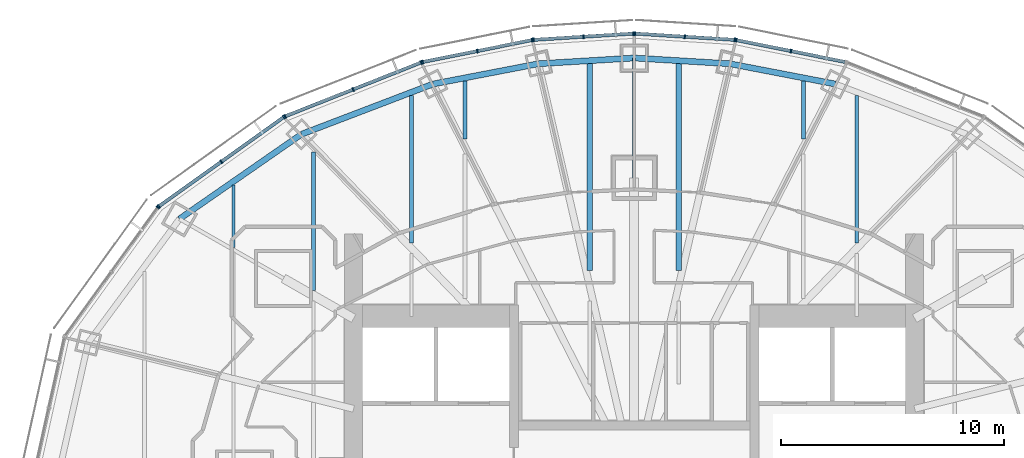
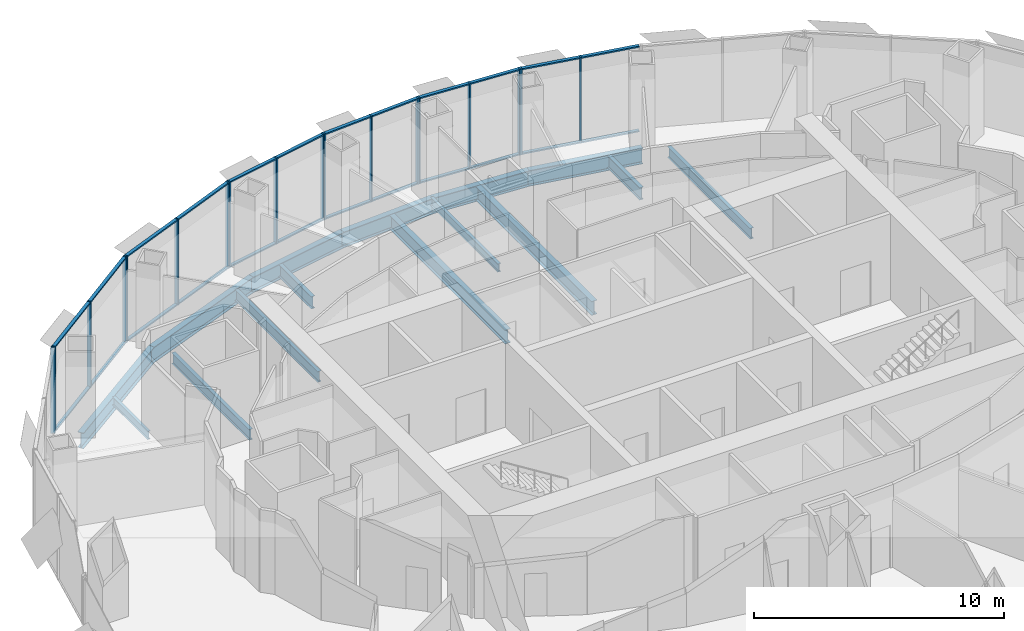
# One storey, part 8 of 19: 42 members, 15 beams, 7 elements without a shape of their own.
"""IFC4 building model written with IfcOpenShell, lengths in metres."""

from ifc_helpers import new_model, si_unit, direction, frame, origin, origin_2d, place, context, subcontext, project, spatial, rectangle, i_section, extrude, material, material_profile, profile_set, type_object, element, aggregate, save


model = new_model("IFC4")

# Units and contexts
model_context = context("Model", 3, precision=1e-05, world=origin(), true_north=direction((0.0, 1.0)))
body_context = subcontext(model_context, "Body", "Model", "MODEL_VIEW")
ifc_project = project(units=[si_unit("LENGTHUNIT", "METRE"), si_unit("AREAUNIT", "SQUARE_METRE"), si_unit("VOLUMEUNIT", "CUBIC_METRE"), si_unit("PLANEANGLEUNIT", "RADIAN"), si_unit("MASSUNIT", "GRAM", prefix="KILO")], contexts=[model_context])

# Site, building, storey
site_placement = place(None, origin())
site = spatial("IfcSite", under=ifc_project, at=site_placement, CompositionType="ELEMENT")
building_placement = place(site_placement, origin())
building = spatial("IfcBuilding", under=site, at=building_placement, Name="Lantaw Convention Tower", CompositionType="ELEMENT")
storey_placement = place(building_placement, frame((0.0, 0.0, 249.39990234375)))
storey = spatial("IfcBuildingStorey", under=building, at=storey_placement, Name="L58", CompositionType="ELEMENT", Elevation=249.39990234375)

# Beams
ifc_material_1 = material(Name="Steel ASTM A992", Category="steel")
ifc_material_profile_1 = material_profile(ifc_material_1, i_section(OverallWidth=0.2666015625, OverallDepth=0.76953125, WebThickness=0.015625, FlangeThickness=0.025390625, FilletRadius=0.0126953125, at=origin_2d()), Name="W30X132")
ifc_profile_set_1 = profile_set([ifc_material_profile_1], Name="Steel ASTM A992")
beam_type_1 = type_object("IfcBeamType", Name="Beam E W30X132", PredefinedType="SPANDREL", material=ifc_profile_set_1)
beam_1_placement = place(storey_placement, frame((9.03466796875, 17.7314453125, -0.53466796875), z_axis=(-0.981972091702, 0.189025953556, 0.0), x_axis=(-0.189025953556, -0.981972091702, 0.0)))
element("IfcBeam", 1, at=beam_1_placement, inside=storey, type_object=beam_type_1, Name="Edge beam 5", PredefinedType="SPANDREL", context=body_context, shape_type="SweptSolid", body=[
    extrude(i_section(OverallWidth=0.2666015625, OverallDepth=0.76953125, WebThickness=0.015625, FlangeThickness=0.025390625, FilletRadius=0.0126953125, at=origin_2d()), origin(), (0.0, 0.0, 1.0), 4.817626953125),
])
for number, where, z_axis, x_axis, name in (
    (2, (4.303955078125, 18.64208984375, -0.53466796875), (-0.998210730897, 0.059794119452, 0.0), (-0.059794119452, -0.998210730897, 0.0), "Edge beam 6"),
    (3, (0.0, 18.89990234375, -0.53466796875), (-0.998210730897, -0.059794119452, 0.0), (0.059794119452, -0.998210730897, 0.0), "Edge beam 7"),
):
    element("IfcBeam", number, at=place(storey_placement, frame(where, z_axis=z_axis, x_axis=x_axis)), inside=storey, type_object=beam_type_1, Name=name, PredefinedType="SPANDREL", context=body_context, shape_type="SweptSolid", body=[
        extrude(i_section(OverallWidth=0.2666015625, OverallDepth=0.76953125, WebThickness=0.015625, FlangeThickness=0.025390625, FilletRadius=0.0126953125, at=origin_2d()), origin(), (0.0, 0.0, 1.0), 4.311767578125),
    ])
beam_2_placement = place(storey_placement, frame((-4.303955078125, 18.64208984375, -0.53466796875), z_axis=(-0.981972091702, -0.189025953556, 0.0), x_axis=(0.189025953556, -0.981972091702, 0.0)))
element("IfcBeam", 4, at=beam_2_placement, inside=storey, type_object=beam_type_1, Name="Edge beam 8", PredefinedType="SPANDREL", context=body_context, shape_type="SweptSolid", body=[
    extrude(i_section(OverallWidth=0.2666015625, OverallDepth=0.76953125, WebThickness=0.015625, FlangeThickness=0.025390625, FilletRadius=0.0126953125, at=origin_2d()), origin(), (0.0, 0.0, 1.0), 4.817626953125),
])
beam_3_placement = place(storey_placement, frame((-9.03466796875, 17.7314453125, -0.53466796875), z_axis=(-0.934234988, -0.356658081637, 0.0), x_axis=(0.356658081637, -0.934234988, 0.0)))
element("IfcBeam", 5, at=beam_3_placement, inside=storey, type_object=beam_type_1, Name="Edge beam 9", PredefinedType="SPANDREL", context=body_context, shape_type="SweptSolid", body=[
    extrude(i_section(OverallWidth=0.2666015625, OverallDepth=0.76953125, WebThickness=0.015625, FlangeThickness=0.025390625, FilletRadius=0.0126953125, at=origin_2d()), origin(), (0.0, 0.0, 1.0), 6.32568359375),
])
beam_4_placement = place(storey_placement, frame((-14.9443359375, 15.475341796875, -0.53466796875), z_axis=(-0.82135329406, -0.570419815869, 0.0), x_axis=(0.570419815869, -0.82135329406, 0.0)))
element("IfcBeam", 6, at=beam_4_placement, inside=storey, type_object=beam_type_1, Name="Edge beam 10", PredefinedType="SPANDREL", context=body_context, shape_type="SweptSolid", body=[
    extrude(i_section(OverallWidth=0.2666015625, OverallDepth=0.76953125, WebThickness=0.015625, FlangeThickness=0.025390625, FilletRadius=0.0126953125, at=origin_2d()), origin(), (0.0, 0.0, 1.0), 6.67041015625),
])
ifc_material_profile_2 = material_profile(ifc_material_1, i_section(OverallWidth=0.140380859375, OverallDepth=0.40380859375, WebThickness=0.007080078125, FlangeThickness=0.01123046875, FilletRadius=0.01025390625, at=origin_2d()), Name="W16X31")
ifc_profile_set_2 = profile_set([ifc_material_profile_2], Name="Steel ASTM A992")
beam_type_2 = type_object("IfcBeamType", Name="Beam G W16X31", PredefinedType="BEAM", material=ifc_profile_set_2)
beam_5_placement = place(storey_placement, frame((0.0, 13.5, -0.351806640625), z_axis=(0.0, 1.0, 0.0), x_axis=(-1.0, 0.0, 0.0)))
element("IfcBeam", 7, at=beam_5_placement, inside=storey, type_object=beam_type_2, Name="Floor girder on ray 7", PredefinedType="BEAM", context=body_context, shape_type="SweptSolid", body=[
    extrude(i_section(OverallWidth=0.140380859375, OverallDepth=0.40380859375, WebThickness=0.007080078125, FlangeThickness=0.01123046875, FilletRadius=0.01025390625, at=origin_2d()), origin(), (0.0, 0.0, 1.0), 5.39990234375),
])
ifc_material_profile_3 = material_profile(ifc_material_1, i_section(OverallWidth=0.140380859375, OverallDepth=0.40380859375, WebThickness=0.007080078125, FlangeThickness=0.01123046875, FilletRadius=0.01025390625, at=origin_2d()), Name="W16X31")
ifc_profile_set_3 = profile_set([ifc_material_profile_3], Name="Steel ASTM A992")
beam_type_3 = type_object("IfcBeamType", Name="Beam J W16X31", PredefinedType="JOIST", material=ifc_profile_set_3)
beam_6_placement = place(storey_placement, frame((-18.0, 10.380859375, -0.351806640625), z_axis=(0.0, 1.0, 0.0), x_axis=(-1.0, 0.0, 0.0)))
element("IfcBeam", 8, at=beam_6_placement, inside=storey, type_object=beam_type_3, Name="Floor joist", PredefinedType="JOIST", context=body_context, shape_type="SweptSolid", body=[
    extrude(i_section(OverallWidth=0.140380859375, OverallDepth=0.40380859375, WebThickness=0.007080078125, FlangeThickness=0.01123046875, FilletRadius=0.01025390625, at=origin_2d()), origin(), (0.0, 0.0, 1.0), 2.81005859375),
])
ifc_material_profile_4 = material_profile(ifc_material_1, i_section(OverallWidth=0.1650390625, OverallDepth=0.52587890625, WebThickness=0.0087890625, FlangeThickness=0.011474609375, FilletRadius=0.0126953125, at=origin_2d()), Name="W21X44")
ifc_profile_set_4 = profile_set([ifc_material_profile_4], Name="Steel ASTM A992")
beam_type_4 = type_object("IfcBeamType", Name="Beam J W21X44", PredefinedType="JOIST", material=ifc_profile_set_4)
beam_7_placement = place(storey_placement, frame((-14.39990234375, 8.461181640625, -0.412841796875), z_axis=(0.0, 1.0, 0.0), x_axis=(-1.0, 0.0, 0.0)))
element("IfcBeam", 9, at=beam_7_placement, inside=storey, type_object=beam_type_4, Name="Floor joist", PredefinedType="JOIST", context=body_context, shape_type="SweptSolid", body=[
    extrude(i_section(OverallWidth=0.1650390625, OverallDepth=0.52587890625, WebThickness=0.0087890625, FlangeThickness=0.011474609375, FilletRadius=0.0126953125, at=origin_2d()), origin(), (0.0, 0.0, 1.0), 6.214599609375),
])
for number, where, z_axis, x_axis, name in (
    (10, (-10.0, 10.591064453125, -0.412841796875), (0.0, 1.0, 0.0), (-1.0, 0.0, 0.0), "Floor joist"),
    (11, (10.0, 10.591064453125, -0.412841796875), (0.0, 1.0, 0.0), (-1.0, 0.0, 0.0), "Floor joist"),
):
    element("IfcBeam", number, at=place(storey_placement, frame(where, z_axis=z_axis, x_axis=x_axis)), inside=storey, type_object=beam_type_4, Name=name, PredefinedType="JOIST", context=body_context, shape_type="SweptSolid", body=[
        extrude(i_section(OverallWidth=0.1650390625, OverallDepth=0.52587890625, WebThickness=0.0087890625, FlangeThickness=0.011474609375, FilletRadius=0.0126953125, at=origin_2d()), origin(), (0.0, 0.0, 1.0), 6.629150390625),
    ])
ifc_material_profile_5 = material_profile(ifc_material_1, i_section(OverallWidth=0.177978515625, OverallDepth=0.599365234375, WebThickness=0.010009765625, FlangeThickness=0.012939453125, FilletRadius=0.012939453125, at=origin_2d()), Name="W24X55")
ifc_profile_set_5 = profile_set([ifc_material_profile_5], Name="Steel ASTM A992")
beam_type_5 = type_object("IfcBeamType", Name="Beam J W24X55", PredefinedType="JOIST", material=ifc_profile_set_5)
for number, where, z_axis, x_axis, name in (
    (12, (-7.60009765625, 15.25439453125, -0.44970703125), (0.0, 1.0, 0.0), (-1.0, 0.0, 0.0), "Floor joist"),
    (13, (7.60009765625, 15.25439453125, -0.44970703125), (0.0, 1.0, 0.0), (-1.0, 0.0, 0.0), "Floor joist"),
):
    element("IfcBeam", number, at=place(storey_placement, frame(where, z_axis=z_axis, x_axis=x_axis)), inside=storey, type_object=beam_type_5, Name=name, PredefinedType="JOIST", context=body_context, shape_type="SweptSolid", body=[
        extrude(i_section(OverallWidth=0.177978515625, OverallDepth=0.599365234375, WebThickness=0.010009765625, FlangeThickness=0.012939453125, FilletRadius=0.012939453125, at=origin_2d()), origin(), (0.0, 0.0, 1.0), 2.617431640625),
    ])
ifc_material_profile_6 = material_profile(ifc_material_1, i_section(OverallWidth=0.25390625, OverallDepth=0.683349609375, WebThickness=0.012451171875, FlangeThickness=0.01904296875, FilletRadius=0.01513671875, at=origin_2d()), Name="W27X94")
ifc_profile_set_6 = profile_set([ifc_material_profile_6], Name="Steel ASTM A992")
beam_type_6 = type_object("IfcBeamType", Name="Beam J W27X94", PredefinedType="JOIST", material=ifc_profile_set_6)
for number, where, z_axis, x_axis, name in (
    (14, (-2.0, 9.34619140625, -0.491455078125), (0.0, 1.0, 0.0), (-1.0, 0.0, 0.0), "Floor joist"),
    (15, (2.0, 9.34619140625, -0.491455078125), (0.0, 1.0, 0.0), (-1.0, 0.0, 0.0), "Floor joist"),
):
    element("IfcBeam", number, at=place(storey_placement, frame(where, z_axis=z_axis, x_axis=x_axis)), inside=storey, type_object=beam_type_6, Name=name, PredefinedType="JOIST", context=body_context, shape_type="SweptSolid", body=[
        extrude(i_section(OverallWidth=0.25390625, OverallDepth=0.683349609375, WebThickness=0.012451171875, FlangeThickness=0.01904296875, FilletRadius=0.01513671875, at=origin_2d()), origin(), (0.0, 0.0, 1.0), 9.30029296875),
    ])

# Curtain wall, members
ifc_material_2 = material(Name="Aluminium framed curtain wall", Category="aluminium")
curtain_wall_type = type_object("IfcCurtainWallType", Name="Office curtain wall high rise, pale aluminium", PredefinedType="USERDEFINED", material=ifc_material_2)
curtain_wall_1_placement = place(storey_placement, origin())
curtain_wall_1 = element("IfcCurtainWall", 16, at=curtain_wall_1_placement, inside=storey, type_object=curtain_wall_type, Name="Office curtain wall high rise, pale aluminium L58", ObjectType="UNITISED CURTAIN WALL", PredefinedType="USERDEFINED")
ifc_material_3 = material(Name="Aluminium 6063-T6", Category="aluminium")
ifc_material_profile_7 = material_profile(ifc_material_3, rectangle(XDim=0.179931640625, YDim=0.06494140625, at=origin_2d()), Name="CW-O2 mullion 65x180")
ifc_profile_set_7 = profile_set([ifc_material_profile_7], Name="Aluminium 6063-T6")
member_type_1 = type_object("IfcMemberType", Name="CW-O2 mullion 65x180", PredefinedType="MULLION", material=ifc_profile_set_7)
member_1_placement = place(storey_placement, frame((7.042724609375, 19.212646484375, -0.14990234375), z_axis=(0.0, 0.0, 1.0), x_axis=(-0.197183095987, -0.980366679695, 0.0)))
member_1 = element("IfcMember", 17, at=member_1_placement, type_object=member_type_1, Name="CW-O2 mullion 2", PredefinedType="MULLION", context=body_context, shape_type="SweptSolid", body=[
    extrude(rectangle(XDim=0.179931640625, YDim=0.06494140625, at=origin_2d()), origin(), (0.0, 0.0, 1.0), 4.199951171875),
])
member_2_placement = place(storey_placement, frame((4.583251953125, 19.70751953125, -0.14990234375), z_axis=(0.0, 0.0, 1.0), x_axis=(-0.197183095987, -0.980366679695, 0.0)))
member_2 = element("IfcMember", 18, at=member_2_placement, type_object=member_type_1, Name="CW-O2 mullion 3", PredefinedType="MULLION", context=body_context, shape_type="SweptSolid", body=[
    extrude(rectangle(XDim=0.179931640625, YDim=0.06494140625, at=origin_2d()), origin(), (0.0, 0.0, 1.0), 4.199951171875),
])

curtain_wall_2_placement = place(storey_placement, origin())
curtain_wall_2 = element("IfcCurtainWall", 19, at=curtain_wall_2_placement, inside=storey, type_object=curtain_wall_type, Name="Office curtain wall high rise, pale aluminium L58", ObjectType="UNITISED CURTAIN WALL", PredefinedType="USERDEFINED")
member_3_placement = place(storey_placement, frame((4.518798828125, 19.7158203125, -0.14990234375), z_axis=(0.0, 0.0, 1.0), x_axis=(-0.062757983884, -0.998028774865, 0.0)))
member_3 = element("IfcMember", 20, at=member_3_placement, type_object=member_type_1, Name="CW-O2 mullion 1", PredefinedType="MULLION", context=body_context, shape_type="SweptSolid", body=[
    extrude(rectangle(XDim=0.179931640625, YDim=0.06494140625, at=origin_2d()), origin(), (0.0, 0.0, 1.0), 4.199951171875),
])
member_4_placement = place(storey_placement, frame((2.275634765625, 19.85693359375, -0.14990234375), z_axis=(0.0, 0.0, 1.0), x_axis=(-0.062757983884, -0.998028774865, 0.0)))
member_4 = element("IfcMember", 21, at=member_4_placement, type_object=member_type_1, Name="CW-O2 mullion 2", PredefinedType="MULLION", context=body_context, shape_type="SweptSolid", body=[
    extrude(rectangle(XDim=0.179931640625, YDim=0.06494140625, at=origin_2d()), origin(), (0.0, 0.0, 1.0), 4.199951171875),
])
member_5_placement = place(storey_placement, frame((0.032470703125, 19.998046875, -0.14990234375), z_axis=(0.0, 0.0, 1.0), x_axis=(-0.062757983884, -0.998028774865, 0.0)))
member_5 = element("IfcMember", 22, at=member_5_placement, type_object=member_type_1, Name="CW-O2 mullion 3", PredefinedType="MULLION", context=body_context, shape_type="SweptSolid", body=[
    extrude(rectangle(XDim=0.179931640625, YDim=0.06494140625, at=origin_2d()), origin(), (0.0, 0.0, 1.0), 4.199951171875),
])

curtain_wall_3_placement = place(storey_placement, origin())
curtain_wall_3 = element("IfcCurtainWall", 23, at=curtain_wall_3_placement, inside=storey, type_object=curtain_wall_type, Name="Office curtain wall high rise, pale aluminium L58", ObjectType="UNITISED CURTAIN WALL", PredefinedType="USERDEFINED")
member_6_placement = place(storey_placement, frame((-0.032470703125, 19.998046875, -0.14990234375), z_axis=(0.0, 0.0, 1.0), x_axis=(0.062757983884, -0.998028774865, 0.0)))
member_6 = element("IfcMember", 24, at=member_6_placement, type_object=member_type_1, Name="CW-O2 mullion 1", PredefinedType="MULLION", context=body_context, shape_type="SweptSolid", body=[
    extrude(rectangle(XDim=0.179931640625, YDim=0.06494140625, at=origin_2d()), origin(), (0.0, 0.0, 1.0), 4.199951171875),
])
member_7_placement = place(storey_placement, frame((-2.275634765625, 19.85693359375, -0.14990234375), z_axis=(0.0, 0.0, 1.0), x_axis=(0.062757983884, -0.998028774865, 0.0)))
member_7 = element("IfcMember", 25, at=member_7_placement, type_object=member_type_1, Name="CW-O2 mullion 2", PredefinedType="MULLION", context=body_context, shape_type="SweptSolid", body=[
    extrude(rectangle(XDim=0.179931640625, YDim=0.06494140625, at=origin_2d()), origin(), (0.0, 0.0, 1.0), 4.199951171875),
])
member_8_placement = place(storey_placement, frame((-4.518798828125, 19.7158203125, -0.14990234375), z_axis=(0.0, 0.0, 1.0), x_axis=(0.062757983884, -0.998028774865, 0.0)))
member_8 = element("IfcMember", 26, at=member_8_placement, type_object=member_type_1, Name="CW-O2 mullion 3", PredefinedType="MULLION", context=body_context, shape_type="SweptSolid", body=[
    extrude(rectangle(XDim=0.179931640625, YDim=0.06494140625, at=origin_2d()), origin(), (0.0, 0.0, 1.0), 4.199951171875),
])

curtain_wall_4_placement = place(storey_placement, origin())
curtain_wall_4 = element("IfcCurtainWall", 27, at=curtain_wall_4_placement, inside=storey, type_object=curtain_wall_type, Name="Office curtain wall high rise, pale aluminium L58", ObjectType="UNITISED CURTAIN WALL", PredefinedType="USERDEFINED")
member_9_placement = place(storey_placement, frame((-4.583251953125, 19.70751953125, -0.14990234375), z_axis=(0.0, 0.0, 1.0), x_axis=(0.197183095987, -0.980366679695, 0.0)))
member_9 = element("IfcMember", 28, at=member_9_placement, type_object=member_type_1, Name="CW-O2 mullion 1", PredefinedType="MULLION", context=body_context, shape_type="SweptSolid", body=[
    extrude(rectangle(XDim=0.179931640625, YDim=0.06494140625, at=origin_2d()), origin(), (0.0, 0.0, 1.0), 4.199951171875),
])
member_10_placement = place(storey_placement, frame((-7.042724609375, 19.212646484375, -0.14990234375), z_axis=(0.0, 0.0, 1.0), x_axis=(0.197183095987, -0.980366679695, 0.0)))
member_10 = element("IfcMember", 29, at=member_10_placement, type_object=member_type_1, Name="CW-O2 mullion 2", PredefinedType="MULLION", context=body_context, shape_type="SweptSolid", body=[
    extrude(rectangle(XDim=0.179931640625, YDim=0.06494140625, at=origin_2d()), origin(), (0.0, 0.0, 1.0), 4.199951171875),
])
member_11_placement = place(storey_placement, frame((-9.502197265625, 18.718017578125, -0.14990234375), z_axis=(0.0, 0.0, 1.0), x_axis=(0.197183095987, -0.980366679695, 0.0)))
member_11 = element("IfcMember", 30, at=member_11_placement, type_object=member_type_1, Name="CW-O2 mullion 3", PredefinedType="MULLION", context=body_context, shape_type="SweptSolid", body=[
    extrude(rectangle(XDim=0.179931640625, YDim=0.06494140625, at=origin_2d()), origin(), (0.0, 0.0, 1.0), 4.199951171875),
])

curtain_wall_5_placement = place(storey_placement, origin())
curtain_wall_5 = element("IfcCurtainWall", 31, at=curtain_wall_5_placement, inside=storey, type_object=curtain_wall_type, Name="Office curtain wall high rise, pale aluminium L58", ObjectType="UNITISED CURTAIN WALL", PredefinedType="USERDEFINED")
member_12_placement = place(storey_placement, frame((-9.564208984375, 18.69970703125, -0.14990234375), z_axis=(0.0, 0.0, 1.0), x_axis=(0.368162315252, -0.929761533743, 0.0)))
member_12 = element("IfcMember", 32, at=member_12_placement, type_object=member_type_1, Name="CW-O2 mullion 1", PredefinedType="MULLION", context=body_context, shape_type="SweptSolid", body=[
    extrude(rectangle(XDim=0.179931640625, YDim=0.06494140625, at=origin_2d()), origin(), (0.0, 0.0, 1.0), 4.199951171875),
])
member_13_placement = place(storey_placement, frame((-12.621337890625, 17.4892578125, -0.14990234375), z_axis=(0.0, 0.0, 1.0), x_axis=(0.368162315252, -0.929761533743, 0.0)))
member_13 = element("IfcMember", 33, at=member_13_placement, type_object=member_type_1, Name="CW-O2 mullion 2", PredefinedType="MULLION", context=body_context, shape_type="SweptSolid", body=[
    extrude(rectangle(XDim=0.179931640625, YDim=0.06494140625, at=origin_2d()), origin(), (0.0, 0.0, 1.0), 4.199951171875),
])
member_14_placement = place(storey_placement, frame((-15.67822265625, 16.278564453125, -0.14990234375), z_axis=(0.0, 0.0, 1.0), x_axis=(0.368162315252, -0.929761533743, 0.0)))
member_14 = element("IfcMember", 34, at=member_14_placement, type_object=member_type_1, Name="CW-O2 mullion 3", PredefinedType="MULLION", context=body_context, shape_type="SweptSolid", body=[
    extrude(rectangle(XDim=0.179931640625, YDim=0.06494140625, at=origin_2d()), origin(), (0.0, 0.0, 1.0), 4.199951171875),
])

curtain_wall_6_placement = place(storey_placement, origin())
curtain_wall_6 = element("IfcCurtainWall", 35, at=curtain_wall_6_placement, inside=storey, type_object=curtain_wall_type, Name="Office curtain wall high rise, pale aluminium L58", ObjectType="UNITISED CURTAIN WALL", PredefinedType="USERDEFINED")
member_15_placement = place(storey_placement, frame((-15.73486328125, 16.247802734375, -0.14990234375), z_axis=(0.0, 0.0, 1.0), x_axis=(0.581323487281, -0.813672540482, 0.0)))
member_15 = element("IfcMember", 36, at=member_15_placement, type_object=member_type_1, Name="CW-O2 mullion 1", PredefinedType="MULLION", context=body_context, shape_type="SweptSolid", body=[
    extrude(rectangle(XDim=0.179931640625, YDim=0.06494140625, at=origin_2d()), origin(), (0.0, 0.0, 1.0), 4.199951171875),
])
member_16_placement = place(storey_placement, frame((-18.543212890625, 14.241455078125, -0.14990234375), z_axis=(0.0, 0.0, 1.0), x_axis=(0.581323487281, -0.813672540482, 0.0)))
member_16 = element("IfcMember", 37, at=member_16_placement, type_object=member_type_1, Name="CW-O2 mullion 2", PredefinedType="MULLION", context=body_context, shape_type="SweptSolid", body=[
    extrude(rectangle(XDim=0.179931640625, YDim=0.06494140625, at=origin_2d()), origin(), (0.0, 0.0, 1.0), 4.199951171875),
])
member_17_placement = place(storey_placement, frame((-21.3515625, 12.23486328125, -0.14990234375), z_axis=(0.0, 0.0, 1.0), x_axis=(0.581323487281, -0.813672540482, 0.0)))
member_17 = element("IfcMember", 38, at=member_17_placement, type_object=member_type_1, Name="CW-O2 mullion 3", PredefinedType="MULLION", context=body_context, shape_type="SweptSolid", body=[
    extrude(rectangle(XDim=0.179931640625, YDim=0.06494140625, at=origin_2d()), origin(), (0.0, 0.0, 1.0), 4.199951171875),
])

# Curtain wall, member
curtain_wall_7_placement = place(storey_placement, origin())
curtain_wall_7 = element("IfcCurtainWall", 39, at=curtain_wall_7_placement, inside=storey, type_object=curtain_wall_type, Name="Office curtain wall high rise, pale aluminium L58", ObjectType="UNITISED CURTAIN WALL", PredefinedType="USERDEFINED")
member_18_placement = place(storey_placement, frame((-21.397216796875, 12.189697265625, -0.14990234375), z_axis=(0.0, 0.0, 1.0), x_axis=(0.810919559405, -0.585157643865, 0.0)))
member_18 = element("IfcMember", 40, at=member_18_placement, type_object=member_type_1, Name="CW-O2 mullion 1", PredefinedType="MULLION", context=body_context, shape_type="SweptSolid", body=[
    extrude(rectangle(XDim=0.179931640625, YDim=0.06494140625, at=origin_2d()), origin(), (0.0, 0.0, 1.0), 4.199951171875),
])
aggregate(curtain_wall_7, [member_18])

# Member
ifc_material_profile_8 = material_profile(ifc_material_3, rectangle(XDim=0.14990234375, YDim=0.06494140625, at=origin_2d()), Name="CW-O2 transom 65x150")
ifc_profile_set_8 = profile_set([ifc_material_profile_8], Name="Aluminium 6063-T6")
member_type_2 = type_object("IfcMemberType", Name="CW-O2 transom 65x150", PredefinedType="USERDEFINED", material=ifc_profile_set_8)
member_19_placement = place(storey_placement, frame((9.47021484375, 18.724365234375, -0.117431640625), z_axis=(-0.98036104319, 0.197211117829, 0.0), x_axis=(-0.197211117829, -0.98036104319, 0.0)))
member_19 = element("IfcMember", 41, at=member_19_placement, type_object=member_type_2, Name="CW-O2 transom 1.1", ObjectType="TRANSOM", PredefinedType="USERDEFINED", context=body_context, shape_type="SweptSolid", body=[
    extrude(rectangle(XDim=0.14990234375, YDim=0.06494140625, at=origin_2d()), origin(), (0.0, 0.0, 1.0), 2.44384765625),
])

member_20_placement = place(storey_placement, frame((9.47021484375, 18.724365234375, 4.017578125), z_axis=(-0.98036104319, 0.197211117829, 0.0), x_axis=(-0.197211117829, -0.98036104319, 0.0)))
member_20 = element("IfcMember", 42, at=member_20_placement, type_object=member_type_2, Name="CW-O2 transom 1.2", ObjectType="TRANSOM", PredefinedType="USERDEFINED", context=body_context, shape_type="SweptSolid", body=[
    extrude(rectangle(XDim=0.14990234375, YDim=0.06494140625, at=origin_2d()), origin(), (0.0, 0.0, 1.0), 2.44384765625),
])

member_21_placement = place(storey_placement, frame((7.0107421875, 19.21923828125, -0.117431640625), z_axis=(-0.980380354178, 0.197115096178, 0.0), x_axis=(-0.197115096178, -0.980380354178, 0.0)))
member_21 = element("IfcMember", 43, at=member_21_placement, type_object=member_type_2, Name="CW-O2 transom 2.1", ObjectType="TRANSOM", PredefinedType="USERDEFINED", context=body_context, shape_type="SweptSolid", body=[
    extrude(rectangle(XDim=0.14990234375, YDim=0.06494140625, at=origin_2d()), origin(), (0.0, 0.0, 1.0), 2.443603515625),
])

member_22_placement = place(storey_placement, frame((7.0107421875, 19.21923828125, 4.017578125), z_axis=(-0.980380354178, 0.197115096178, 0.0), x_axis=(-0.197115096178, -0.980380354178, 0.0)))
member_22 = element("IfcMember", 44, at=member_22_placement, type_object=member_type_2, Name="CW-O2 transom 2.2", ObjectType="TRANSOM", PredefinedType="USERDEFINED", context=body_context, shape_type="SweptSolid", body=[
    extrude(rectangle(XDim=0.14990234375, YDim=0.06494140625, at=origin_2d()), origin(), (0.0, 0.0, 1.0), 2.443603515625),
])

aggregate(curtain_wall_1, [member_1, member_2, member_19, member_20, member_21, member_22])

member_23_placement = place(storey_placement, frame((4.486328125, 19.7177734375, -0.117431640625), z_axis=(-0.998021991509, 0.062865765437, 0.0), x_axis=(-0.062865765437, -0.998021991509, 0.0)))
member_23 = element("IfcMember", 45, at=member_23_placement, type_object=member_type_2, Name="CW-O2 transom 1.1", ObjectType="TRANSOM", PredefinedType="USERDEFINED", context=body_context, shape_type="SweptSolid", body=[
    extrude(rectangle(XDim=0.14990234375, YDim=0.06494140625, at=origin_2d()), origin(), (0.0, 0.0, 1.0), 2.1826171875),
])

member_24_placement = place(storey_placement, frame((4.486328125, 19.7177734375, 4.017578125), z_axis=(-0.998021991509, 0.062865765437, 0.0), x_axis=(-0.062865765437, -0.998021991509, 0.0)))
member_24 = element("IfcMember", 46, at=member_24_placement, type_object=member_type_2, Name="CW-O2 transom 1.2", ObjectType="TRANSOM", PredefinedType="USERDEFINED", context=body_context, shape_type="SweptSolid", body=[
    extrude(rectangle(XDim=0.14990234375, YDim=0.06494140625, at=origin_2d()), origin(), (0.0, 0.0, 1.0), 2.1826171875),
])

member_25_placement = place(storey_placement, frame((2.2431640625, 19.85888671875, -0.117431640625), z_axis=(-0.998029003644, 0.062754345555, 0.0), x_axis=(-0.062754345555, -0.998029003644, 0.0)))
member_25 = element("IfcMember", 47, at=member_25_placement, type_object=member_type_2, Name="CW-O2 transom 2.1", ObjectType="TRANSOM", PredefinedType="USERDEFINED", context=body_context, shape_type="SweptSolid", body=[
    extrude(rectangle(XDim=0.14990234375, YDim=0.06494140625, at=origin_2d()), origin(), (0.0, 0.0, 1.0), 2.1826171875),
])

member_26_placement = place(storey_placement, frame((2.2431640625, 19.85888671875, 4.017578125), z_axis=(-0.998029003644, 0.062754345555, 0.0), x_axis=(-0.062754345555, -0.998029003644, 0.0)))
member_26 = element("IfcMember", 48, at=member_26_placement, type_object=member_type_2, Name="CW-O2 transom 2.2", ObjectType="TRANSOM", PredefinedType="USERDEFINED", context=body_context, shape_type="SweptSolid", body=[
    extrude(rectangle(XDim=0.14990234375, YDim=0.06494140625, at=origin_2d()), origin(), (0.0, 0.0, 1.0), 2.1826171875),
])

aggregate(curtain_wall_2, [member_3, member_4, member_5, member_23, member_24, member_25, member_26])

member_27_placement = place(storey_placement, frame((-0.06494140625, 19.995849609375, -0.117431640625), z_axis=(-0.998029003644, -0.062754345555, 0.0), x_axis=(0.062754345555, -0.998029003644, 0.0)))
member_27 = element("IfcMember", 49, at=member_27_placement, type_object=member_type_2, Name="CW-O2 transom 1.1", ObjectType="TRANSOM", PredefinedType="USERDEFINED", context=body_context, shape_type="SweptSolid", body=[
    extrude(rectangle(XDim=0.14990234375, YDim=0.06494140625, at=origin_2d()), origin(), (0.0, 0.0, 1.0), 2.1826171875),
])

member_28_placement = place(storey_placement, frame((-0.06494140625, 19.995849609375, 4.017578125), z_axis=(-0.998029003644, -0.062754345555, 0.0), x_axis=(0.062754345555, -0.998029003644, 0.0)))
member_28 = element("IfcMember", 50, at=member_28_placement, type_object=member_type_2, Name="CW-O2 transom 1.2", ObjectType="TRANSOM", PredefinedType="USERDEFINED", context=body_context, shape_type="SweptSolid", body=[
    extrude(rectangle(XDim=0.14990234375, YDim=0.06494140625, at=origin_2d()), origin(), (0.0, 0.0, 1.0), 2.1826171875),
])

member_29_placement = place(storey_placement, frame((-2.30810546875, 19.85498046875, -0.117431640625), z_axis=(-0.998021991509, -0.062865765437, 0.0), x_axis=(0.062865765437, -0.998021991509, 0.0)))
member_29 = element("IfcMember", 51, at=member_29_placement, type_object=member_type_2, Name="CW-O2 transom 2.1", ObjectType="TRANSOM", PredefinedType="USERDEFINED", context=body_context, shape_type="SweptSolid", body=[
    extrude(rectangle(XDim=0.14990234375, YDim=0.06494140625, at=origin_2d()), origin(), (0.0, 0.0, 1.0), 2.1826171875),
])

member_30_placement = place(storey_placement, frame((-2.30810546875, 19.85498046875, 4.017578125), z_axis=(-0.998021991509, -0.062865765437, 0.0), x_axis=(0.062865765437, -0.998021991509, 0.0)))
member_30 = element("IfcMember", 52, at=member_30_placement, type_object=member_type_2, Name="CW-O2 transom 2.2", ObjectType="TRANSOM", PredefinedType="USERDEFINED", context=body_context, shape_type="SweptSolid", body=[
    extrude(rectangle(XDim=0.14990234375, YDim=0.06494140625, at=origin_2d()), origin(), (0.0, 0.0, 1.0), 2.1826171875),
])

aggregate(curtain_wall_3, [member_6, member_7, member_8, member_27, member_28, member_29, member_30])

member_31_placement = place(storey_placement, frame((-4.614990234375, 19.700927734375, -0.117431640625), z_axis=(-0.980380354178, -0.197115096178, 0.0), x_axis=(0.197115096178, -0.980380354178, 0.0)))
member_31 = element("IfcMember", 53, at=member_31_placement, type_object=member_type_2, Name="CW-O2 transom 1.1", ObjectType="TRANSOM", PredefinedType="USERDEFINED", context=body_context, shape_type="SweptSolid", body=[
    extrude(rectangle(XDim=0.14990234375, YDim=0.06494140625, at=origin_2d()), origin(), (0.0, 0.0, 1.0), 2.443603515625),
])

member_32_placement = place(storey_placement, frame((-4.614990234375, 19.700927734375, 4.017578125), z_axis=(-0.980380354178, -0.197115096178, 0.0), x_axis=(0.197115096178, -0.980380354178, 0.0)))
member_32 = element("IfcMember", 54, at=member_32_placement, type_object=member_type_2, Name="CW-O2 transom 1.2", ObjectType="TRANSOM", PredefinedType="USERDEFINED", context=body_context, shape_type="SweptSolid", body=[
    extrude(rectangle(XDim=0.14990234375, YDim=0.06494140625, at=origin_2d()), origin(), (0.0, 0.0, 1.0), 2.443603515625),
])

member_33_placement = place(storey_placement, frame((-7.074462890625, 19.206298828125, -0.117431640625), z_axis=(-0.98036104319, -0.197211117829, 0.0), x_axis=(0.197211117829, -0.98036104319, 0.0)))
member_33 = element("IfcMember", 55, at=member_33_placement, type_object=member_type_2, Name="CW-O2 transom 2.1", ObjectType="TRANSOM", PredefinedType="USERDEFINED", context=body_context, shape_type="SweptSolid", body=[
    extrude(rectangle(XDim=0.14990234375, YDim=0.06494140625, at=origin_2d()), origin(), (0.0, 0.0, 1.0), 2.44384765625),
])

member_34_placement = place(storey_placement, frame((-7.074462890625, 19.206298828125, 4.017578125), z_axis=(-0.98036104319, -0.197211117829, 0.0), x_axis=(0.197211117829, -0.98036104319, 0.0)))
member_34 = element("IfcMember", 56, at=member_34_placement, type_object=member_type_2, Name="CW-O2 transom 2.2", ObjectType="TRANSOM", PredefinedType="USERDEFINED", context=body_context, shape_type="SweptSolid", body=[
    extrude(rectangle(XDim=0.14990234375, YDim=0.06494140625, at=origin_2d()), origin(), (0.0, 0.0, 1.0), 2.44384765625),
])

aggregate(curtain_wall_4, [member_9, member_10, member_11, member_31, member_32, member_33, member_34])

member_35_placement = place(storey_placement, frame((-9.594482421875, 18.687744140625, -0.117431640625), z_axis=(-0.929766642946, -0.368149412149, 0.0), x_axis=(0.368149412149, -0.929766642946, 0.0)))
member_35 = element("IfcMember", 57, at=member_35_placement, type_object=member_type_2, Name="CW-O2 transom 1.1", ObjectType="TRANSOM", PredefinedType="USERDEFINED", context=body_context, shape_type="SweptSolid", body=[
    extrude(rectangle(XDim=0.14990234375, YDim=0.06494140625, at=origin_2d()), origin(), (0.0, 0.0, 1.0), 3.222900390625),
])

member_36_placement = place(storey_placement, frame((-9.594482421875, 18.687744140625, 4.017578125), z_axis=(-0.929766642946, -0.368149412149, 0.0), x_axis=(0.368149412149, -0.929766642946, 0.0)))
member_36 = element("IfcMember", 58, at=member_36_placement, type_object=member_type_2, Name="CW-O2 transom 1.2", ObjectType="TRANSOM", PredefinedType="USERDEFINED", context=body_context, shape_type="SweptSolid", body=[
    extrude(rectangle(XDim=0.14990234375, YDim=0.06494140625, at=origin_2d()), origin(), (0.0, 0.0, 1.0), 3.222900390625),
])

member_37_placement = place(storey_placement, frame((-12.651611328125, 17.477294921875, -0.117431640625), z_axis=(-0.929740712354, -0.368214893495, 0.0), x_axis=(0.368214893495, -0.929740712354, 0.0)))
member_37 = element("IfcMember", 59, at=member_37_placement, type_object=member_type_2, Name="CW-O2 transom 2.1", ObjectType="TRANSOM", PredefinedType="USERDEFINED", context=body_context, shape_type="SweptSolid", body=[
    extrude(rectangle(XDim=0.14990234375, YDim=0.06494140625, at=origin_2d()), origin(), (0.0, 0.0, 1.0), 3.22314453125),
])

member_38_placement = place(storey_placement, frame((-12.651611328125, 17.477294921875, 4.017578125), z_axis=(-0.929740712354, -0.368214893495, 0.0), x_axis=(0.368214893495, -0.929740712354, 0.0)))
member_38 = element("IfcMember", 60, at=member_38_placement, type_object=member_type_2, Name="CW-O2 transom 2.2", ObjectType="TRANSOM", PredefinedType="USERDEFINED", context=body_context, shape_type="SweptSolid", body=[
    extrude(rectangle(XDim=0.14990234375, YDim=0.06494140625, at=origin_2d()), origin(), (0.0, 0.0, 1.0), 3.22314453125),
])

aggregate(curtain_wall_5, [member_12, member_13, member_14, member_35, member_36, member_37, member_38])

member_39_placement = place(storey_placement, frame((-15.761474609375, 16.22900390625, -0.117431640625), z_axis=(-0.813645780821, -0.581360940683, 0.0), x_axis=(0.581360940683, -0.813645780821, 0.0)))
member_39 = element("IfcMember", 61, at=member_39_placement, type_object=member_type_2, Name="CW-O2 transom 1.1", ObjectType="TRANSOM", PredefinedType="USERDEFINED", context=body_context, shape_type="SweptSolid", body=[
    extrude(rectangle(XDim=0.14990234375, YDim=0.06494140625, at=origin_2d()), origin(), (0.0, 0.0, 1.0), 3.386474609375),
])

member_40_placement = place(storey_placement, frame((-15.761474609375, 16.22900390625, 4.017578125), z_axis=(-0.813645780821, -0.581360940683, 0.0), x_axis=(0.581360940683, -0.813645780821, 0.0)))
member_40 = element("IfcMember", 62, at=member_40_placement, type_object=member_type_2, Name="CW-O2 transom 1.2", ObjectType="TRANSOM", PredefinedType="USERDEFINED", context=body_context, shape_type="SweptSolid", body=[
    extrude(rectangle(XDim=0.14990234375, YDim=0.06494140625, at=origin_2d()), origin(), (0.0, 0.0, 1.0), 3.386474609375),
])

member_41_placement = place(storey_placement, frame((-18.56982421875, 14.222412109375, -0.117431640625), z_axis=(-0.813679882592, -0.581313210468, 0.0), x_axis=(0.581313210468, -0.813679882592, 0.0)))
member_41 = element("IfcMember", 63, at=member_41_placement, type_object=member_type_2, Name="CW-O2 transom 2.1", ObjectType="TRANSOM", PredefinedType="USERDEFINED", context=body_context, shape_type="SweptSolid", body=[
    extrude(rectangle(XDim=0.14990234375, YDim=0.06494140625, at=origin_2d()), origin(), (0.0, 0.0, 1.0), 3.38623046875),
])

member_42_placement = place(storey_placement, frame((-18.56982421875, 14.222412109375, 4.017578125), z_axis=(-0.813679882592, -0.581313210468, 0.0), x_axis=(0.581313210468, -0.813679882592, 0.0)))
member_42 = element("IfcMember", 64, at=member_42_placement, type_object=member_type_2, Name="CW-O2 transom 2.2", ObjectType="TRANSOM", PredefinedType="USERDEFINED", context=body_context, shape_type="SweptSolid", body=[
    extrude(rectangle(XDim=0.14990234375, YDim=0.06494140625, at=origin_2d()), origin(), (0.0, 0.0, 1.0), 3.38623046875),
])

aggregate(curtain_wall_6, [member_15, member_16, member_17, member_39, member_40, member_41, member_42])

save(model, "model.ifc")
